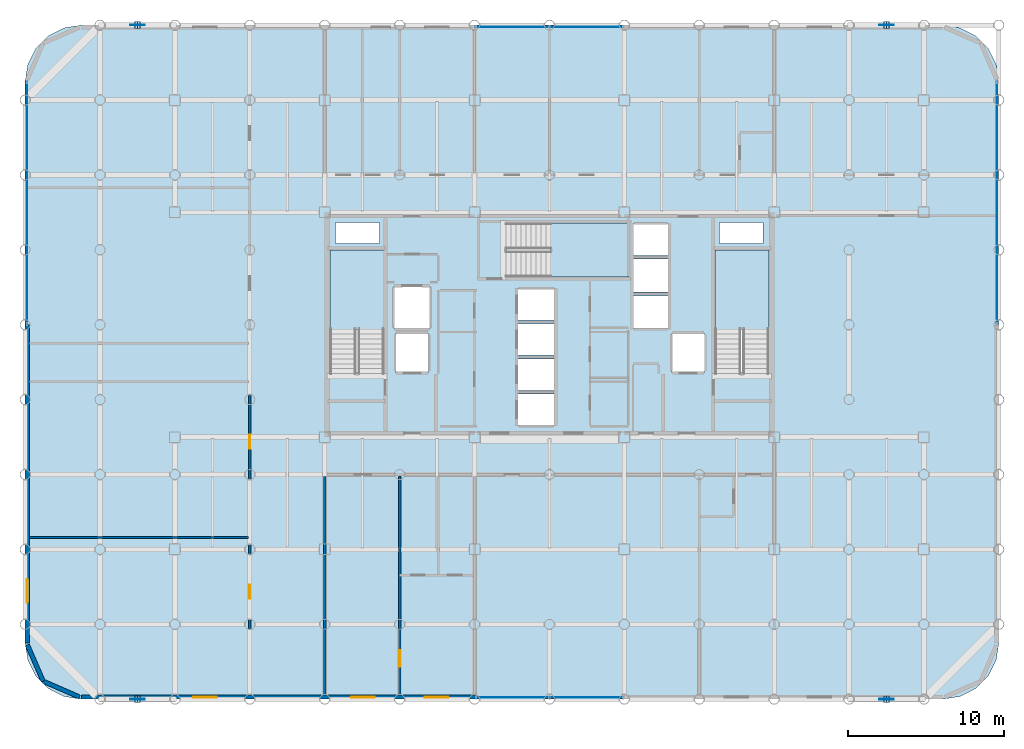
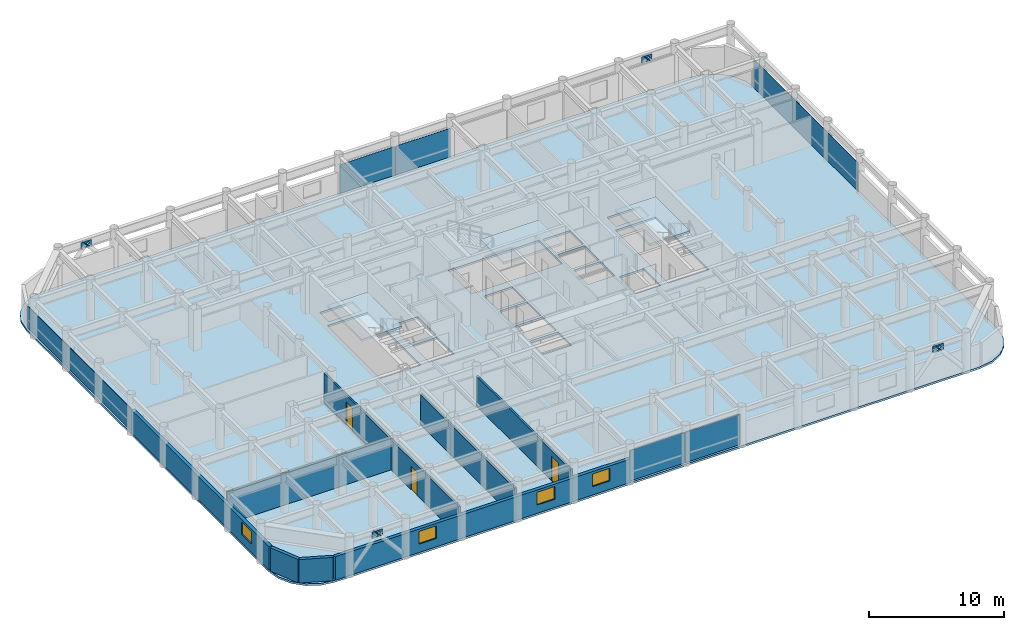
# One storey, part 15 of 20: 18 plates, 8 walls, 4 slabs, 4 windows, 3 doors, 7 openings, 7 elements without a shape of their own.
"""IFC4 building model written with IfcOpenShell, lengths in metres."""

import ifcopenshell
import ifcopenshell.guid

model = None  # the IFC model being written
_history = None  # IfcOwnerHistory: only IFC2X3 demands one
_inside = {}  # id of a spatial element -> (the spatial element, [elements in it])
_under = {}  # id of a project, library or spatial element -> (it, [spatial elements below it])
_declared = {}  # id of a project -> (the project, [libraries it declares])
_typed = {}  # id of a type object -> (the type object, [elements of that type])
_made_of = {}  # id of a material, layer set ... -> (it, [elements and type objects made of it])


def new_model(schema):
    """Start an empty IFC model of exactly this schema.

    Asked for "IFC4X3", IfcOpenShell would pick the latest addendum, in which some entities
    have other attributes; the version numbers below select the first issue.
    IFC2X3 requires an IfcOwnerHistory on every rooted entity: one is made here for all.
    """
    global model, _history
    if schema == "IFC4X3":
        model = ifcopenshell.file(schema_version=(4, 3, 0, 0))
    else:
        model = ifcopenshell.file(schema=schema)
    _inside.clear()
    _under.clear()
    _declared.clear()
    _typed.clear()
    _made_of.clear()
    _history = None
    if model.schema == "IFC2X3":
        org = make("IfcOrganization", Name="unknown")
        user = make(
            "IfcPersonAndOrganization",
            ThePerson=make("IfcPerson", FamilyName="unknown"),
            TheOrganization=org,
        )
        app = make(
            "IfcApplication",
            ApplicationDeveloper=org,
            Version="unknown",
            ApplicationFullName="unknown",
            ApplicationIdentifier="unknown",
        )
        _history = make(
            "IfcOwnerHistory",
            OwningUser=user,
            OwningApplication=app,
            ChangeAction="ADDED",
            CreationDate=0,
        )
    return model


def make(cls, **values):
    """One entity of the class cls with the attributes given. An attribute that is None is left unset."""
    return model.create_entity(
        cls, **{name: value for name, value in values.items() if value is not None}
    )


def rooted(cls, **values):
    """An entity with a GlobalId (a new one), such as an element, a storey or a relation."""
    return make(cls, GlobalId=ifcopenshell.guid.new(), OwnerHistory=_history, **values)


def si_unit(unit_type, name, prefix=None):
    """IfcSIUnit, for example si_unit("LENGTHUNIT", "METRE", prefix="MILLI")."""
    return make("IfcSIUnit", UnitType=unit_type, Prefix=prefix, Name=name)


def assignment(units):
    """IfcUnitAssignment: the units of a project."""
    return None if units is None else make("IfcUnitAssignment", Units=units)


def point(xyz):
    """IfcCartesianPoint."""
    return None if xyz is None else make("IfcCartesianPoint", Coordinates=xyz)


def direction(xyz):
    """IfcDirection."""
    return None if xyz is None else make("IfcDirection", DirectionRatios=xyz)


def frame(location, z_axis=None, x_axis=None):
    """IfcAxis2Placement3D, a coordinate frame: its origin and axes. An axis left out is left unset."""
    return make(
        "IfcAxis2Placement3D",
        Location=point(location),
        Axis=direction(z_axis),
        RefDirection=direction(x_axis),
    )


def frame_2d(location, x_axis=None):
    """IfcAxis2Placement2D, a coordinate frame in the plane: its origin and x axis."""
    return make(
        "IfcAxis2Placement2D", Location=point(location), RefDirection=direction(x_axis)
    )


def origin():
    """The frame at (0, 0, 0) with its axes left unset."""
    return frame((0.0, 0.0, 0.0))


def origin_2d():
    """The frame at (0, 0) in the plane with its x axis left unset."""
    return frame_2d((0.0, 0.0))


def place(relative_to, where):
    """IfcLocalPlacement: puts the frame where relative to a parent placement (None: the world)."""
    return make(
        "IfcLocalPlacement", PlacementRelTo=relative_to, RelativePlacement=where
    )


def context(
    kind, dimensions, precision=None, world=None, true_north=None, identifier=None
):
    """IfcGeometricRepresentationContext, for example the 3D "Model" context."""
    return make(
        "IfcGeometricRepresentationContext",
        ContextIdentifier=identifier,
        ContextType=kind,
        CoordinateSpaceDimension=dimensions,
        Precision=precision,
        WorldCoordinateSystem=world,
        TrueNorth=true_north,
    )


def subcontext(parent, identifier, kind, view, scale=None):
    """IfcGeometricRepresentationSubContext, for example "Body" below "Model"."""
    return make(
        "IfcGeometricRepresentationSubContext",
        ContextIdentifier=identifier,
        ContextType=kind,
        ParentContext=parent,
        TargetScale=scale,
        TargetView=view,
    )


def project(units=None, contexts=None):
    """IfcProject with its units and contexts."""
    return rooted(
        "IfcProject",
        Name="project",
        RepresentationContexts=contexts,
        UnitsInContext=assignment(units),
    )


def spatial(cls, under=None, at=None, **own):
    """A site, building, storey or space (cls), placed at a placement, below another one or the project."""
    s = rooted(cls, ObjectPlacement=at, **own)
    if under is not None:
        _under.setdefault(under.id(), (under, []))[1].append(s)
    return s


def polyline(points):
    """IfcPolyline through the points."""
    return make("IfcPolyline", Points=[point(p) for p in points])


def profile(cls, at=None, kind="AREA", **sizes):
    """A parametric profile (cls). Its sizes go by their IFC names, for example OverallWidth=200.0."""
    return make(cls, ProfileType=kind, Position=at, **sizes)


def rectangle(**sizes):
    """IfcRectangleProfileDef."""
    return profile("IfcRectangleProfileDef", **sizes)


def outline(outer, holes=None, kind="AREA"):
    """IfcArbitraryClosedProfileDef: a profile drawn as a closed curve; with holes, ...WithVoids."""
    if holes is None:
        return make("IfcArbitraryClosedProfileDef", ProfileType=kind, OuterCurve=outer)
    return make(
        "IfcArbitraryProfileDefWithVoids",
        ProfileType=kind,
        OuterCurve=outer,
        InnerCurves=holes,
    )


def extrude(swept, where, along, depth):
    """IfcExtrudedAreaSolid: the profile swept, set in the frame where, extruded along a direction by depth."""
    return make(
        "IfcExtrudedAreaSolid",
        SweptArea=swept,
        Position=where,
        ExtrudedDirection=direction(along),
        Depth=depth,
    )


def shape(context_of_items, identifier, shape_type, items):
    """IfcShapeRepresentation: the items that make up one representation, for example the "Body"."""
    return make(
        "IfcShapeRepresentation",
        ContextOfItems=context_of_items,
        RepresentationIdentifier=identifier,
        RepresentationType=shape_type,
        Items=items,
    )


def material(Name=None, Category=None):
    """IfcMaterial."""
    return make("IfcMaterial", Name=Name, Category=Category)


def layer(
    of_material, thickness, ventilated=None, Name=None, Category=None, Priority=None
):
    """IfcMaterialLayer: one layer of a wall or slab, of a material (None: an air gap)."""
    return make(
        "IfcMaterialLayer",
        Material=of_material,
        LayerThickness=thickness,
        IsVentilated=ventilated,
        Name=Name,
        Category=Category,
        Priority=Priority,
    )


def layer_set(layers, Name=None):
    """IfcMaterialLayerSet."""
    return make("IfcMaterialLayerSet", MaterialLayers=layers, LayerSetName=Name)


def made_of(thing, what):
    """Note that an element or type object is made of a material, layer set ...; save() writes the relation."""
    if what is not None:
        _made_of.setdefault(what.id(), (what, []))[1].append(thing)
    return thing


def type_object(cls, material=None, **own):
    """A type object (cls), such as IfcWallType, which elements share."""
    return made_of(rooted(cls, **own), material)


def element(
    cls,
    number,
    at=None,
    inside=None,
    cuts=None,
    type_object=None,
    material=None,
    context=None,
    identifier="Body",
    shape_type=None,
    held_by="IfcProductDefinitionShape",
    body=None,
    shapes=None,
    **own,
):
    """One element of the class cls, such as IfcWall. Its Tag is "e" and its number.

    at: its placement. inside: the storey or other place that contains it. cuts: it is an
    opening in that element (IfcRelVoidsElement). A single representation is given by context,
    identifier, shape_type and body (its items); several are given by shapes. held_by: the class
    of the entity that holds the representations. save() writes the other relations.
    """
    e = rooted(cls, Tag="e%d" % number, ObjectPlacement=at, **own)
    if body is not None:
        shapes = [shape(context, identifier, shape_type, body)]
    if shapes is not None:
        e.Representation = make(held_by, Representations=shapes)
    if inside is not None:
        _inside.setdefault(inside.id(), (inside, []))[1].append(e)
    if cuts is not None:
        rooted(
            "IfcRelVoidsElement", RelatingBuildingElement=cuts, RelatedOpeningElement=e
        )
    if type_object is not None:
        _typed.setdefault(type_object.id(), (type_object, []))[1].append(e)
    return made_of(e, material)


def fill(opening, filler):
    """IfcRelFillsElement: the door or window that sits in an opening."""
    return rooted(
        "IfcRelFillsElement",
        RelatingOpeningElement=opening,
        RelatedBuildingElement=filler,
    )


def aggregate(whole, parts):
    """IfcRelAggregates: a whole, such as a stair, and the parts it consists of."""
    return rooted("IfcRelAggregates", RelatingObject=whole, RelatedObjects=parts)


def save(model, path):
    """Write the relations noted so far, then the file.

    IfcRelAggregates (storeys below a building ...), IfcRelContainedInSpatialStructure (elements
    in a storey), IfcRelDefinesByType, IfcRelAssociatesMaterial and IfcRelDeclares: one each for
    every whole, place, type object, material and project.
    """
    for whole, parts in _under.values():
        aggregate(whole, parts)
    for where, things in _inside.values():
        rooted(
            "IfcRelContainedInSpatialStructure",
            RelatedElements=things,
            RelatingStructure=where,
        )
    for kind, things in _typed.values():
        rooted("IfcRelDefinesByType", RelatedObjects=things, RelatingType=kind)
    for what, things in _made_of.values():
        rooted("IfcRelAssociatesMaterial", RelatedObjects=things, RelatingMaterial=what)
    for by, libraries in _declared.values():
        rooted("IfcRelDeclares", RelatingContext=by, RelatedDefinitions=libraries)
    model.write(path)


model = new_model("IFC4")

# Units and contexts
model_context = context("Model", 3, precision=1e-05, world=origin(), true_north=direction((0.0, 1.0)))
body_context = subcontext(model_context, "Body", "Model", "MODEL_VIEW")
ifc_project = project(units=[si_unit("LENGTHUNIT", "METRE"), si_unit("AREAUNIT", "SQUARE_METRE"), si_unit("VOLUMEUNIT", "CUBIC_METRE"), si_unit("PLANEANGLEUNIT", "RADIAN"), si_unit("MASSUNIT", "GRAM", prefix="KILO")], contexts=[model_context])

# Site, building, storey
site_placement = place(None, origin())
site = spatial("IfcSite", under=ifc_project, at=site_placement, CompositionType="ELEMENT")
building_placement = place(site_placement, origin())
building = spatial("IfcBuilding", under=site, at=building_placement, Name="Kallvorn Hotel Tower", CompositionType="ELEMENT")
storey_placement = place(building_placement, frame((0.0, 0.0, 172.89990234375)))
storey = spatial("IfcBuildingStorey", under=building, at=storey_placement, Name="L43", CompositionType="ELEMENT", Elevation=172.89990234375)

# Curtain wall, plates
ifc_material_1 = material(Name="Thermally broken black-anodised aluminium AA 6063-T6", Category="aluminium")
ifc_layer_1 = layer(ifc_material_1, 0.2099609375)
ifc_layer_set_1 = layer_set([ifc_layer_1], Name="CW_SYS_4_HOTEL_MID")
curtain_wall_type = type_object("IfcCurtainWallType", Name="CW_SYS_4_HOTEL_MID", PredefinedType="USERDEFINED", material=ifc_layer_set_1)
curtain_wall_1_placement = place(storey_placement, origin())
curtain_wall_1 = element("IfcCurtainWall", 1, at=curtain_wall_1_placement, inside=storey, type_object=curtain_wall_type, Name="L43 Dark-Glass Curtain Wall CW-L43-SC", ObjectType="UNITISED CURTAIN WALL", PredefinedType="USERDEFINED")
ifc_material_2 = material(Name="Double-glazed low-e solar-control dark glass", Category="glass")
ifc_layer_2 = layer(ifc_material_2, 0.037841796875)
ifc_layer_set_2 = layer_set([ifc_layer_2], Name="CW_SYS_4_HOTEL_MID_PANEL")
plate_type_1 = type_object("IfcPlateType", Name="CW_SYS_4_HOTEL_MID_PANEL", PredefinedType="CURTAIN_PANEL", material=ifc_layer_set_2)
plate_1_placement = place(storey_placement, frame((-2.375, -23.8798828125, 0.06005859375), z_axis=(0.0, 0.0, 1.0), x_axis=(1.0, 0.0, 0.0)))
plate_1 = element("IfcPlate", 2, at=plate_1_placement, type_object=plate_type_1, Name="CW-L43-SC Vision Glass Panel 00", PredefinedType="CURTAIN_PANEL", context=body_context, shape_type="SweptSolid", body=[
    extrude(rectangle(XDim=4.68994140625, YDim=0.037841796875, at=origin_2d()), origin(), (0.0, 0.0, 1.0), 2.75),
])
plate_2_placement = place(storey_placement, frame((2.375, -23.8798828125, 0.06005859375), z_axis=(0.0, 0.0, 1.0), x_axis=(1.0, 0.0, 0.0)))
plate_2 = element("IfcPlate", 3, at=plate_2_placement, type_object=plate_type_1, Name="CW-L43-SC Vision Glass Panel 01", PredefinedType="CURTAIN_PANEL", context=body_context, shape_type="SweptSolid", body=[
    extrude(rectangle(XDim=4.68994140625, YDim=0.037841796875, at=origin_2d()), origin(), (0.0, 0.0, 1.0), 2.75),
])
aggregate(curtain_wall_1, [plate_1, plate_2])

curtain_wall_2_placement = place(storey_placement, origin())
curtain_wall_2 = element("IfcCurtainWall", 4, at=curtain_wall_2_placement, inside=storey, type_object=curtain_wall_type, Name="L43 Dark-Glass Curtain Wall CW-L43-NC", ObjectType="UNITISED CURTAIN WALL", PredefinedType="USERDEFINED")
plate_3_placement = place(storey_placement, frame((-2.375, 19.080078125, 0.06005859375), z_axis=(0.0, 0.0, 1.0), x_axis=(1.0, 0.0, 0.0)))
plate_3 = element("IfcPlate", 5, at=plate_3_placement, type_object=plate_type_1, Name="CW-L43-NC Vision Glass Panel 00", PredefinedType="CURTAIN_PANEL", context=body_context, shape_type="SweptSolid", body=[
    extrude(rectangle(XDim=4.68994140625, YDim=0.037841796875, at=origin_2d()), origin(), (0.0, 0.0, 1.0), 2.60009765625),
])
plate_4_placement = place(storey_placement, frame((2.375, 19.080078125, 0.06005859375), z_axis=(0.0, 0.0, 1.0), x_axis=(1.0, 0.0, 0.0)))
plate_4 = element("IfcPlate", 6, at=plate_4_placement, type_object=plate_type_1, Name="CW-L43-NC Vision Glass Panel 01", PredefinedType="CURTAIN_PANEL", context=body_context, shape_type="SweptSolid", body=[
    extrude(rectangle(XDim=4.68994140625, YDim=0.037841796875, at=origin_2d()), origin(), (0.0, 0.0, 1.0), 2.60009765625),
])
aggregate(curtain_wall_2, [plate_3, plate_4])

# Curtain wall, plate
curtain_wall_3_placement = place(storey_placement, origin())
curtain_wall_3 = element("IfcCurtainWall", 7, at=curtain_wall_3_placement, inside=storey, type_object=curtain_wall_type, Name="L43 Dark-Glass Curtain Wall CW-L43-WN", ObjectType="UNITISED CURTAIN WALL", PredefinedType="USERDEFINED")
plate_5_placement = place(storey_placement, frame((-33.47998046875, 7.81005859375, 0.06005859375), z_axis=(0.0, 0.0, 1.0), x_axis=(0.0, 1.0, 0.0)))
plate_5 = element("IfcPlate", 8, at=plate_5_placement, type_object=plate_type_1, Name="CW-L43-WN Vision Glass Panel 00", PredefinedType="CURTAIN_PANEL", context=body_context, shape_type="SweptSolid", body=[
    extrude(rectangle(XDim=15.52001953125, YDim=0.037841796875, at=origin_2d()), origin(), (0.0, 0.0, 1.0), 2.0),
])
aggregate(curtain_wall_3, [plate_5])

curtain_wall_4_placement = place(storey_placement, origin())
curtain_wall_4 = element("IfcCurtainWall", 9, at=curtain_wall_4_placement, inside=storey, type_object=curtain_wall_type, Name="L43 Dark-Glass Curtain Wall CW-L43-EN", ObjectType="UNITISED CURTAIN WALL", PredefinedType="USERDEFINED")
plate_6_placement = place(storey_placement, frame((28.679931640625, 7.81005859375, 0.06005859375), z_axis=(0.0, 0.0, 1.0), x_axis=(0.0, 1.0, 0.0)))
plate_6 = element("IfcPlate", 10, at=plate_6_placement, type_object=plate_type_1, Name="CW-L43-EN Vision Glass Panel 00", PredefinedType="CURTAIN_PANEL", context=body_context, shape_type="SweptSolid", body=[
    extrude(rectangle(XDim=15.52001953125, YDim=0.037841796875, at=origin_2d()), origin(), (0.0, 0.0, 1.0), 2.60009765625),
])
aggregate(curtain_wall_4, [plate_6])

# Plates
ifc_material_3 = material(Name="Structural steel S355JR", Category="steel")
ifc_layer_3 = layer(ifc_material_3, 0.030029296875)
ifc_layer_set_3 = layer_set([ifc_layer_3], Name="PLT_CAP_30")
plate_type_2 = type_object("IfcPlateType", Name="PLT_CAP_30", PredefinedType="SHEET", material=ifc_layer_set_3)
plate_7_placement = place(storey_placement, frame((-26.227294921875, -24.2177734375, 2.876708984375), z_axis=(0.647046537535, 0.0, 0.762450508731), x_axis=(0.0, 1.0, 0.0)))
element("IfcPlate", 11, at=plate_7_placement, inside=storey, type_object=plate_type_2, Name="EXO-L43-S1A End Cap Plate B", PredefinedType="SHEET", context=body_context, shape_type="SweptSolid", body=[
    extrude(outline(polyline([(0.0, 0.0), (0.435546875, 0.0), (0.435546875, 0.4357992903407334), (0.0, 0.4357992903407334), (0.0, 0.0)])), origin(), (0.0, 0.0, -1.0), 0.030029296875),
])
plate_8_placement = place(storey_placement, frame((-26.572509765625, -23.7822265625, 2.876708984375), z_axis=(-0.647322989315, 0.0, 0.762215814258), x_axis=(0.0, -1.0, 0.0)))
element("IfcPlate", 12, at=plate_8_placement, inside=storey, type_object=plate_type_2, Name="EXO-L43-S1B End Cap Plate B", PredefinedType="SHEET", context=body_context, shape_type="SweptSolid", body=[
    extrude(outline(polyline([(0.0, 0.0), (0.435546875, 0.0), (0.435546875, 0.43561317384010895), (0.0, 0.43561317384010895), (0.0, 0.0)])), origin(), (0.0, 0.0, -1.0), 0.030029296875),
])
plate_9_placement = place(storey_placement, frame((21.772705078125, -24.2177734375, 2.876708984375), z_axis=(0.647046537535, 0.0, 0.762450508731), x_axis=(0.0, 1.0, 0.0)))
element("IfcPlate", 13, at=plate_9_placement, inside=storey, type_object=plate_type_2, Name="EXO-L43-S2A End Cap Plate B", PredefinedType="SHEET", context=body_context, shape_type="SweptSolid", body=[
    extrude(outline(polyline([(0.0, 0.0), (0.435546875, 0.0), (0.435546875, 0.4357992903407334), (0.0, 0.4357992903407334), (0.0, 0.0)])), origin(), (0.0, 0.0, -1.0), 0.030029296875),
])
plate_10_placement = place(storey_placement, frame((21.427490234375, -23.7822265625, 2.876708984375), z_axis=(-0.647322989315, 0.0, 0.762215814258), x_axis=(0.0, -1.0, 0.0)))
element("IfcPlate", 14, at=plate_10_placement, inside=storey, type_object=plate_type_2, Name="EXO-L43-S2B End Cap Plate B", PredefinedType="SHEET", context=body_context, shape_type="SweptSolid", body=[
    extrude(outline(polyline([(0.0, 0.0), (0.435546875, 0.0), (0.435546875, 0.43561317384010895), (0.0, 0.43561317384010895), (0.0, 0.0)])), origin(), (0.0, 0.0, -1.0), 0.030029296875),
])
plate_11_placement = place(storey_placement, frame((-26.227294921875, 18.982177734375, 2.876708984375), z_axis=(0.647046537535, 0.0, 0.762450508731), x_axis=(0.0, 1.0, 0.0)))
element("IfcPlate", 15, at=plate_11_placement, inside=storey, type_object=plate_type_2, Name="EXO-L43-N1A End Cap Plate B", PredefinedType="SHEET", context=body_context, shape_type="SweptSolid", body=[
    extrude(outline(polyline([(0.0, 0.0), (0.435546875, 0.0), (0.435546875, 0.4357992903407334), (0.0, 0.4357992903407334), (0.0, 0.0)])), origin(), (0.0, 0.0, -1.0), 0.030029296875),
])
plate_12_placement = place(storey_placement, frame((-26.572509765625, 19.417724609375, 2.876708984375), z_axis=(-0.647322989315, 0.0, 0.762215814258), x_axis=(0.0, -1.0, 0.0)))
element("IfcPlate", 16, at=plate_12_placement, inside=storey, type_object=plate_type_2, Name="EXO-L43-N1B End Cap Plate B", PredefinedType="SHEET", context=body_context, shape_type="SweptSolid", body=[
    extrude(outline(polyline([(0.0, 0.0), (0.435546875, 0.0), (0.435546875, 0.43561317384010895), (0.0, 0.43561317384010895), (0.0, 0.0)])), origin(), (0.0, 0.0, -1.0), 0.030029296875),
])
plate_13_placement = place(storey_placement, frame((21.772705078125, 18.982177734375, 2.876708984375), z_axis=(0.647046537535, 0.0, 0.762450508731), x_axis=(0.0, 1.0, 0.0)))
element("IfcPlate", 17, at=plate_13_placement, inside=storey, type_object=plate_type_2, Name="EXO-L43-N2A End Cap Plate B", PredefinedType="SHEET", context=body_context, shape_type="SweptSolid", body=[
    extrude(outline(polyline([(0.0, 0.0), (0.435546875, 0.0), (0.435546875, 0.4357992903407334), (0.0, 0.4357992903407334), (0.0, 0.0)])), origin(), (0.0, 0.0, -1.0), 0.030029296875),
])
plate_14_placement = place(storey_placement, frame((21.427490234375, 19.417724609375, 2.876708984375), z_axis=(-0.647322989315, 0.0, 0.762215814258), x_axis=(0.0, -1.0, 0.0)))
element("IfcPlate", 18, at=plate_14_placement, inside=storey, type_object=plate_type_2, Name="EXO-L43-N2B End Cap Plate B", PredefinedType="SHEET", context=body_context, shape_type="SweptSolid", body=[
    extrude(outline(polyline([(0.0, 0.0), (0.435546875, 0.0), (0.435546875, 0.43561317384010895), (0.0, 0.43561317384010895), (0.0, 0.0)])), origin(), (0.0, 0.0, -1.0), 0.030029296875),
])
ifc_material_4 = material(Name="Structural steel S355JR", Category="steel")
ifc_layer_4 = layer(ifc_material_4, 0.034912109375)
ifc_layer_set_4 = layer_set([ifc_layer_4], Name="PLT_GUSSET_35")
plate_type_3 = type_object("IfcPlateType", Name="PLT_GUSSET_35", PredefinedType="USERDEFINED", material=ifc_layer_set_4)
for number, where, z_axis, x_axis, name in (
    (19, (-26.39990234375, -24.0, 2.690185546875), (0.0, 0.0, 1.0), (1.0, 0.0, 0.0), "L43 Exoskeleton Node Gusset S1"),
    (20, (21.60009765625, -24.0, 2.690185546875), (0.0, 0.0, 1.0), (1.0, 0.0, 0.0), "L43 Exoskeleton Node Gusset S2"),
    (21, (-26.39990234375, 19.199951171875, 2.690185546875), (0.0, 0.0, 1.0), (1.0, 0.0, 0.0), "L43 Exoskeleton Node Gusset N1"),
    (22, (21.60009765625, 19.199951171875, 2.690185546875), (0.0, 0.0, 1.0), (1.0, 0.0, 0.0), "L43 Exoskeleton Node Gusset N2"),
):
    element("IfcPlate", number, at=place(storey_placement, frame(where, z_axis=z_axis, x_axis=x_axis)), inside=storey, type_object=plate_type_3, Name=name, ObjectType="GUSSET PLATE", PredefinedType="USERDEFINED", context=body_context, shape_type="SweptSolid", body=[
        extrude(rectangle(XDim=0.89990234375, YDim=0.034912109375, at=origin_2d()), origin(), (0.0, 0.0, 1.0), 0.56005859375),
    ])

# Stair, slab
ifc_material_5 = material(Name="Precast concrete C40/50", Category="concrete")
stair_type = type_object("IfcStairType", Name="STR_CORE_DOGLEG", PredefinedType="HALF_TURN_STAIR", material=ifc_material_5)
stair_1_placement = place(storey_placement, origin())
stair_1 = element("IfcStair", 23, at=stair_1_placement, inside=storey, type_object=stair_type, Name="L43 Exit stair ST1", PredefinedType="HALF_TURN_STAIR")
ifc_material_6 = material(Name="Precast concrete C40/50", Category="concrete")
ifc_layer_5 = layer(ifc_material_6, 0.179931640625)
ifc_layer_set_5 = layer_set([ifc_layer_5], Name="SLB_LANDING_180")
slab_type_1 = type_object("IfcSlabType", Name="SLB_LANDING_180", PredefinedType="LANDING", material=ifc_layer_set_5)
slab_1_placement = place(storey_placement, frame((0.0, 0.0, 1.650146484375)))
slab_1 = element("IfcSlab", 24, at=slab_1_placement, type_object=slab_type_1, Name="ST1 landing 1", PredefinedType="LANDING", context=body_context, shape_type="SweptSolid", body=[
    extrude(outline(polyline([(-10.60009765625, -0.31005859375), (-10.60009765625, 4.800048828125), (-14.06005859375, 4.800048828125), (-14.06005859375, -0.31005859375), (-10.60009765625, -0.31005859375)])), origin(), (0.0, 0.0, 1.0), 0.199951171875),
])
aggregate(stair_1, [slab_1])

stair_2_placement = place(storey_placement, origin())
stair_2 = element("IfcStair", 25, at=stair_2_placement, inside=storey, type_object=stair_type, Name="L43 Exit stair ST2", PredefinedType="HALF_TURN_STAIR")
slab_2_placement = place(storey_placement, frame((0.0, 0.0, 1.650146484375)))
slab_2 = element("IfcSlab", 26, at=slab_2_placement, type_object=slab_type_1, Name="ST2 landing 1", PredefinedType="LANDING", context=body_context, shape_type="SweptSolid", body=[
    extrude(outline(polyline([(14.06005859375, -0.31005859375), (14.06005859375, 4.800048828125), (10.60009765625, 4.800048828125), (10.60009765625, -0.31005859375), (14.06005859375, -0.31005859375)])), origin(), (0.0, 0.0, 1.0), 0.199951171875),
])
aggregate(stair_2, [slab_2])

stair_3_placement = place(storey_placement, origin())
stair_3 = element("IfcStair", 27, at=stair_3_placement, inside=storey, type_object=stair_type, Name="L43 Exit stair ST3", PredefinedType="HALF_TURN_STAIR")
slab_3_placement = place(storey_placement, frame((0.0, 0.0, 1.650146484375)))
slab_3 = element("IfcSlab", 28, at=slab_3_placement, type_object=slab_type_1, Name="ST3 landing 1", PredefinedType="LANDING", context=body_context, shape_type="SweptSolid", body=[
    extrude(outline(polyline([(0.0400390625, 3.050048828125), (5.050048828125, 3.050048828125), (5.050048828125, 6.510009765625), (0.0400390625, 6.510009765625), (0.0400390625, 3.050048828125)])), origin(), (0.0, 0.0, 1.0), 0.199951171875),
])
aggregate(stair_3, [slab_3])

# Slab
ifc_material_7 = material(Name="Concrete C40/50", Category="concrete")
ifc_layer_6 = layer(ifc_material_7, 0.179931640625)
ifc_layer_set_6 = layer_set([ifc_layer_6], Name="SLB_TOWER_180")
slab_type_2 = type_object("IfcSlabType", Name="SLB_TOWER_180", PredefinedType="FLOOR", material=ifc_layer_set_6)
slab_4_placement = place(storey_placement, frame((0.0, 0.0, -0.179931640625)))
element("IfcSlab", 29, at=slab_4_placement, inside=storey, type_object=slab_type_2, Name="L43 Structural Floor Slab", PredefinedType="FLOOR", context=body_context, shape_type="SweptSolid", body=[
    extrude(outline(polyline([(25.199951171875, -24.0), (26.3125, -23.82373046875), (27.31591796875, -23.3125), (28.112548828125, -22.51611328125), (28.623779296875, -21.512451171875), (28.800048828125, -20.39990234375), (28.800048828125, 15.60009765625), (28.623779296875, 16.71240234375), (28.112548828125, 17.716064453125), (27.31591796875, 18.512451171875), (26.3125, 19.023681640625), (25.199951171875, 19.199951171875), (-30.0, 19.199951171875), (-31.112548828125, 19.023681640625), (-32.115966796875, 18.512451171875), (-32.91259765625, 17.716064453125), (-33.423828125, 16.71240234375), (-33.60009765625, 15.60009765625), (-33.60009765625, -20.39990234375), (-33.423828125, -21.512451171875), (-32.91259765625, -22.51611328125), (-32.115966796875, -23.3125), (-31.112548828125, -23.82373046875), (-30.0, -24.0), (25.199951171875, -24.0)]), holes=[polyline([(-10.60009765625, -3.070068359375), (-10.60009765625, 4.800048828125), (-14.06005859375, 4.800048828125), (-14.06005859375, -3.070068359375), (-10.60009765625, -3.070068359375)]), polyline([(14.06005859375, -3.070068359375), (14.06005859375, 4.800048828125), (10.60009765625, 4.800048828125), (10.60009765625, -3.070068359375), (14.06005859375, -3.070068359375)]), polyline([(-2.719970703125, 3.050048828125), (5.050048828125, 3.050048828125), (5.050048828125, 6.510009765625), (-2.719970703125, 6.510009765625), (-2.719970703125, 3.050048828125)]), polyline([(-2.050048828125, -6.449951171875), (0.35009765625, -6.449951171875), (0.35009765625, -4.449951171875), (-2.050048828125, -4.449951171875), (-2.050048828125, -6.449951171875)]), polyline([(-2.050048828125, -4.199951171875), (0.35009765625, -4.199951171875), (0.35009765625, -2.199951171875), (-2.050048828125, -2.199951171875), (-2.050048828125, -4.199951171875)]), polyline([(-2.050048828125, -1.949951171875), (0.35009765625, -1.949951171875), (0.35009765625, 0.050048828125), (-2.050048828125, 0.050048828125), (-2.050048828125, -1.949951171875)]), polyline([(-2.050048828125, 0.300048828125), (0.35009765625, 0.300048828125), (0.35009765625, 2.300048828125), (-2.050048828125, 2.300048828125), (-2.050048828125, 0.300048828125)]), polyline([(5.35009765625, -0.25), (7.64990234375, -0.25), (7.64990234375, 1.85009765625), (5.35009765625, 1.85009765625), (5.35009765625, -0.25)]), polyline([(5.35009765625, 2.10009765625), (7.64990234375, 2.10009765625), (7.64990234375, 4.199951171875), (5.35009765625, 4.199951171875), (5.35009765625, 2.10009765625)]), polyline([(5.35009765625, 4.449951171875), (7.64990234375, 4.449951171875), (7.64990234375, 6.449951171875), (5.35009765625, 6.449951171875), (5.35009765625, 4.449951171875)]), polyline([(-9.85009765625, -3.050048828125), (-7.75, -3.050048828125), (-7.75, -0.550048828125), (-9.85009765625, -0.550048828125), (-9.85009765625, -3.050048828125)]), polyline([(7.85009765625, -3.050048828125), (9.949951171875, -3.050048828125), (9.949951171875, -0.550048828125), (7.85009765625, -0.550048828125), (7.85009765625, -3.050048828125)]), polyline([(-9.949951171875, -0.25), (-7.64990234375, -0.25), (-7.64990234375, 2.449951171875), (-9.949951171875, 2.449951171875), (-9.949951171875, -0.25)]), polyline([(-13.699951171875, 5.199951171875), (-10.89990234375, 5.199951171875), (-10.89990234375, 6.550048828125), (-13.699951171875, 6.550048828125), (-13.699951171875, 5.199951171875)]), polyline([(10.89990234375, 5.199951171875), (13.699951171875, 5.199951171875), (13.699951171875, 6.550048828125), (10.89990234375, 6.550048828125), (10.89990234375, 5.199951171875)])]), origin(), (0.0, 0.0, 1.0), 0.179931640625),
])

# Wall
ifc_material_8 = material(Name="Fire-rated double-layer acoustic gypsum drywall EI 60")
ifc_layer_7 = layer(ifc_material_8, 0.159912109375)
ifc_layer_set_7 = layer_set([ifc_layer_7], Name="WL_DEMISE_160")
wall_type_1 = type_object("IfcWallType", Name="WL_DEMISE_160", PredefinedType="PARTITIONING", material=ifc_layer_set_7)
wall_1_placement = place(storey_placement, frame((-14.39990234375, -23.7099609375, 0.0), z_axis=(0.0, 0.0, 1.0), x_axis=(0.0, 1.0, 0.0)))
element("IfcWall", 30, at=wall_1_placement, inside=storey, type_object=wall_type_1, Name="L43 Suite 4301 Executive Living Salon Partition", PredefinedType="PARTITIONING", context=body_context, shape_type="SweptSolid", body=[
    extrude(rectangle(XDim=13.989990234375, YDim=0.159912109375, at=frame_2d((6.9951171875, 0.0))), origin(), (0.0, 0.0, 1.0), 2.72021484375),
])

# Wall, opening, door
wall_2_placement = place(storey_placement, frame((-9.60009765625, -23.7099609375, 0.0), z_axis=(0.0, 0.0, 1.0), x_axis=(0.0, 1.0, 0.0)))
wall_2 = element("IfcWall", 31, at=wall_2_placement, inside=storey, type_object=wall_type_1, Name="L43 Suite 4301 Executive Bedroom Partition", PredefinedType="PARTITIONING", context=body_context, shape_type="SweptSolid", body=[
    extrude(rectangle(XDim=13.989990234375, YDim=0.159912109375, at=frame_2d((6.9951171875, 0.0))), origin(), (0.0, 0.0, 1.0), 2.72021484375),
])
opening_1_placement = place(wall_2_placement, frame((1.802978515625, 0.0, 0.0)))
opening_1 = element("IfcOpeningElement", 32, at=opening_1_placement, cuts=wall_2, Name="Opening GD2", PredefinedType="OPENING", context=body_context, shape_type="SweptSolid", body=[
    extrude(rectangle(XDim=1.050048828125, YDim=2.199951171875, at=frame_2d((0.52490234375, 1.10009765625))), frame((0.0, 0.094970703125, 0.0), z_axis=(0.0, -1.0, 0.0), x_axis=(1.0, 0.0, 0.0)), (0.0, 0.0, 1.0), 0.18994140625),
])
ifc_material_9 = material(Name="Solid-core walnut veneer fire-rated timber door leaf", Category="wood")
door_type_1 = type_object("IfcDoorType", Name="DR_SUITE_1050x2200", OperationType="NOTDEFINED", PredefinedType="DOOR", material=ifc_material_9)
door_1_placement = place(opening_1_placement, origin())
door_1 = element("IfcDoor", 33, at=door_1_placement, inside=storey, type_object=door_type_1, Name="L43 Suite 4301 Executive Bedroom Door", OperationType="SINGLE_SWING_LEFT", OverallHeight=2.199951171875, OverallWidth=1.050048828125, PredefinedType="DOOR", context=body_context, shape_type="SweptSolid", body=[
    extrude(rectangle(XDim=1.050048828125, YDim=2.199951171875, at=frame_2d((0.52490234375, 1.10009765625))), frame((0.0, 0.02490234375, 0.0), z_axis=(0.0, -1.0, 0.0), x_axis=(1.0, 0.0, 0.0)), (0.0, 0.0, 1.0), 0.050048828125),
])
fill(opening_1, door_1)

# Walls
ifc_material_10 = material(Name="Precast basalt-clad insulated concrete wall C40/50", Category="masonry")
ifc_layer_8 = layer(ifc_material_10, 0.280029296875)
ifc_layer_set_8 = layer_set([ifc_layer_8], Name="WL_EXT_LOGGIA_280")
wall_type_2 = type_object("IfcWallType", Name="WL_EXT_LOGGIA_280", PredefinedType="SOLIDWALL", material=ifc_layer_set_8)
wall_3_placement = place(storey_placement, frame((-33.4580078125, -20.520751953125, 0.0), z_axis=(0.0, 0.0, 1.0), x_axis=(0.398792985289, -0.917040977756, 0.0)))
element("IfcWall", 34, at=wall_3_placement, inside=storey, type_object=wall_type_2, Name="L43 Rounded Corner Exterior Wall SW1", PredefinedType="SOLIDWALL", context=body_context, shape_type="SweptSolid", body=[
    extrude(rectangle(XDim=2.536376953125, YDim=0.280029296875, at=frame_2d((1.26806640625, 0.0))), origin(), (0.0, 0.0, 1.0), 2.1201171875),
])
wall_4_placement = place(storey_placement, frame((-32.446533203125, -22.8466796875, 0.0), z_axis=(0.0, 0.0, 1.0), x_axis=(0.917060872934, -0.398747232384, 0.0)))
element("IfcWall", 35, at=wall_4_placement, inside=storey, type_object=wall_type_2, Name="L43 Rounded Corner Exterior Wall SW2", PredefinedType="SOLIDWALL", context=body_context, shape_type="SweptSolid", body=[
    extrude(rectangle(XDim=2.5361328125, YDim=0.280029296875, at=frame_2d((1.26806640625, 0.0))), origin(), (0.0, 0.0, 1.0), 2.1201171875),
])

# Wall, openings, windows
wall_5_placement = place(storey_placement, frame((-30.0, -23.860107421875, 0.0), z_axis=(0.0, 0.0, 1.0), x_axis=(1.0, 0.0, 0.0)))
wall_5 = element("IfcWall", 36, at=wall_5_placement, inside=storey, type_object=wall_type_2, Name="L43 Exterior Envelope Wall EW-L43-SW", PredefinedType="SOLIDWALL", context=body_context, shape_type="SweptSolid", body=[
    extrude(rectangle(XDim=25.25, YDim=0.280029296875, at=frame_2d((12.625, 0.0))), origin(), (0.0, 0.0, 1.0), 2.1201171875),
])
opening_2_placement = place(wall_5_placement, frame((7.1630859375, 0.0, 0.75)))
opening_2 = element("IfcOpeningElement", 37, at=opening_2_placement, cuts=wall_5, Name="Opening W05A", PredefinedType="OPENING", context=body_context, shape_type="SweptSolid", body=[
    extrude(rectangle(XDim=1.5, YDim=1.14990234375, at=frame_2d((0.75, 0.574951171875))), frame((0.0, 0.155029296875, 0.0), z_axis=(0.0, -1.0, 0.0), x_axis=(1.0, 0.0, 0.0)), (0.0, 0.0, 1.0), 0.31005859375),
])
opening_3_placement = place(wall_5_placement, frame((17.2900390625, 0.0, 0.75)))
opening_3 = element("IfcOpeningElement", 38, at=opening_3_placement, cuts=wall_5, Name="Opening W05A", PredefinedType="OPENING", context=body_context, shape_type="SweptSolid", body=[
    extrude(rectangle(XDim=1.5, YDim=1.14990234375, at=frame_2d((0.75, 0.574951171875))), frame((0.0, 0.155029296875, 0.0), z_axis=(0.0, -1.0, 0.0), x_axis=(1.0, 0.0, 0.0)), (0.0, 0.0, 1.0), 0.31005859375),
])
opening_4_placement = place(wall_5_placement, frame((22.010009765625, 0.0, 0.75)))
opening_4 = element("IfcOpeningElement", 39, at=opening_4_placement, cuts=wall_5, Name="Opening W05A", PredefinedType="OPENING", context=body_context, shape_type="SweptSolid", body=[
    extrude(rectangle(XDim=1.5, YDim=1.14990234375, at=frame_2d((0.75, 0.574951171875))), frame((0.0, 0.155029296875, 0.0), z_axis=(0.0, -1.0, 0.0), x_axis=(1.0, 0.0, 0.0)), (0.0, 0.0, 1.0), 0.31005859375),
])
ifc_material_11 = material(Name="Double-glazed low-e solar-control dark glass", Category="glass")
window_type = type_object("IfcWindowType", Name="WN_HTL_1500x1150", PartitioningType="SINGLE_PANEL", PredefinedType="WINDOW", material=ifc_material_11)
window_1_placement = place(opening_2_placement, origin())
window_1 = element("IfcWindow", 40, at=window_1_placement, inside=storey, type_object=window_type, Name="L43 Guestroom Exterior Window 01", OverallHeight=1.14990234375, OverallWidth=1.5, PartitioningType="SINGLE_PANEL", PredefinedType="WINDOW", context=body_context, shape_type="SweptSolid", body=[
    extrude(rectangle(XDim=1.5, YDim=1.14990234375, at=frame_2d((0.75, 0.574951171875))), frame((0.0, 0.030029296875, 0.0), z_axis=(0.0, -1.0, 0.0), x_axis=(1.0, 0.0, 0.0)), (0.0, 0.0, 1.0), 0.06005859375),
])
fill(opening_2, window_1)
window_2_placement = place(opening_3_placement, origin())
window_2 = element("IfcWindow", 41, at=window_2_placement, inside=storey, type_object=window_type, Name="L43 Guestroom Exterior Window 06", OverallHeight=1.14990234375, OverallWidth=1.5, PartitioningType="SINGLE_PANEL", PredefinedType="WINDOW", context=body_context, shape_type="SweptSolid", body=[
    extrude(rectangle(XDim=1.5, YDim=1.14990234375, at=frame_2d((0.75, 0.574951171875))), frame((0.0, 0.030029296875, 0.0), z_axis=(0.0, -1.0, 0.0), x_axis=(1.0, 0.0, 0.0)), (0.0, 0.0, 1.0), 0.06005859375),
])
fill(opening_3, window_2)
window_3_placement = place(opening_4_placement, origin())
window_3 = element("IfcWindow", 42, at=window_3_placement, inside=storey, type_object=window_type, Name="L43 Guestroom Exterior Window 07", OverallHeight=1.14990234375, OverallWidth=1.5, PartitioningType="SINGLE_PANEL", PredefinedType="WINDOW", context=body_context, shape_type="SweptSolid", body=[
    extrude(rectangle(XDim=1.5, YDim=1.14990234375, at=frame_2d((0.75, 0.574951171875))), frame((0.0, 0.030029296875, 0.0), z_axis=(0.0, -1.0, 0.0), x_axis=(1.0, 0.0, 0.0)), (0.0, 0.0, 1.0), 0.06005859375),
])
fill(opening_4, window_3)

# Wall, opening, window
wall_6_placement = place(storey_placement, frame((-33.4599609375, -20.39990234375, 0.0), z_axis=(0.0, 0.0, 1.0), x_axis=(0.0, 1.0, 0.0)))
wall_6 = element("IfcWall", 43, at=wall_6_placement, inside=storey, type_object=wall_type_2, Name="L43 Exterior Envelope Wall EW-L43-WS", PredefinedType="SOLIDWALL", context=body_context, shape_type="SweptSolid", body=[
    extrude(rectangle(XDim=20.3798828125, YDim=0.280029296875, at=frame_2d((10.18994140625, 0.0))), origin(), (0.0, 0.0, 1.0), 2.1201171875),
])
opening_5_placement = place(wall_6_placement, frame((2.593017578125, 0.0, 0.75)))
opening_5 = element("IfcOpeningElement", 44, at=opening_5_placement, cuts=wall_6, Name="Opening W05A", PredefinedType="OPENING", context=body_context, shape_type="SweptSolid", body=[
    extrude(rectangle(XDim=1.5, YDim=1.14990234375, at=frame_2d((0.75, 0.574951171875))), frame((0.0, 0.155029296875, 0.0), z_axis=(0.0, -1.0, 0.0), x_axis=(1.0, 0.0, 0.0)), (0.0, 0.0, 1.0), 0.31005859375),
])
window_4_placement = place(opening_5_placement, origin())
window_4 = element("IfcWindow", 45, at=window_4_placement, inside=storey, type_object=window_type, Name="L43 Flank Wing Window 02", OverallHeight=1.14990234375, OverallWidth=1.5, PartitioningType="SINGLE_PANEL", PredefinedType="WINDOW", context=body_context, shape_type="SweptSolid", body=[
    extrude(rectangle(XDim=1.5, YDim=1.14990234375, at=frame_2d((0.75, 0.574951171875))), frame((0.0, 0.030029296875, 0.0), z_axis=(0.0, -1.0, 0.0), x_axis=(1.0, 0.0, 0.0)), (0.0, 0.0, 1.0), 0.06005859375),
])
fill(opening_5, window_4)

# Wall
ifc_material_12 = material(Name="Fire-rated double-layer acoustic gypsum drywall EI 60")
ifc_layer_9 = layer(ifc_material_12, 0.14990234375)
ifc_layer_set_9 = layer_set([ifc_layer_9], Name="WL_PART_150")
wall_type_3 = type_object("IfcWallType", Name="WL_PART_150", PredefinedType="PARTITIONING", material=ifc_layer_set_9)
wall_7_placement = place(storey_placement, frame((-33.31005859375, -13.635009765625, 0.0), z_axis=(0.0, 0.0, 1.0), x_axis=(1.0, 0.0, 0.0)))
element("IfcWall", 46, at=wall_7_placement, inside=storey, type_object=wall_type_3, Name="L43 L43 South-West Facade Cocktail Bar Partition", PredefinedType="PARTITIONING", context=body_context, shape_type="SweptSolid", body=[
    extrude(rectangle(XDim=14.030029296875, YDim=0.14990234375, at=frame_2d((7.01513671875, 0.0))), origin(), (0.0, 0.0, 1.0), 2.8701171875),
])

# Wall, openings, doors
wall_8_placement = place(storey_placement, frame((-19.199951171875, -23.7099609375, 0.0), z_axis=(0.0, 0.0, 1.0), x_axis=(0.0, 1.0, 0.0)))
wall_8 = element("IfcWall", 47, at=wall_8_placement, inside=storey, type_object=wall_type_3, Name="L43 L43 South-West Facade Cocktail Bar Partition", PredefinedType="PARTITIONING", context=body_context, shape_type="SweptSolid", body=[
    extrude(rectangle(XDim=19.96484375, YDim=0.14990234375, at=frame_2d((9.982421875, 0.0))), origin(), (0.0, 0.0, 1.0), 2.72021484375),
])
opening_6_placement = place(wall_8_placement, frame((6.162353515625, 0.0, 0.0)))
opening_6 = element("IfcOpeningElement", 48, at=opening_6_placement, cuts=wall_8, Name="Opening SVD1", PredefinedType="OPENING", context=body_context, shape_type="SweptSolid", body=[
    extrude(rectangle(XDim=0.89990234375, YDim=2.10009765625, at=frame_2d((0.449951171875, 1.050048828125))), frame((0.0, 0.08984375, 0.0), z_axis=(0.0, -1.0, 0.0), x_axis=(1.0, 0.0, 0.0)), (0.0, 0.0, 1.0), 0.179931640625),
])
opening_7_placement = place(wall_8_placement, frame((15.770263671875, 0.0, 0.0)))
opening_7 = element("IfcOpeningElement", 49, at=opening_7_placement, cuts=wall_8, Name="Opening SVD1", PredefinedType="OPENING", context=body_context, shape_type="SweptSolid", body=[
    extrude(rectangle(XDim=0.89990234375, YDim=2.10009765625, at=frame_2d((0.449951171875, 1.050048828125))), frame((0.0, 0.08984375, 0.0), z_axis=(0.0, -1.0, 0.0), x_axis=(1.0, 0.0, 0.0)), (0.0, 0.0, 1.0), 0.179931640625),
])
ifc_material_13 = material(Name="Galvanised painted steel fire-rated door assembly", Category="steel")
door_type_2 = type_object("IfcDoorType", Name="DR_SERV_900x2100", OperationType="NOTDEFINED", PredefinedType="DOOR", material=ifc_material_13)
door_2_placement = place(opening_6_placement, origin())
door_2 = element("IfcDoor", 50, at=door_2_placement, inside=storey, type_object=door_type_2, Name="L43 L43 South-West Facade Cocktail Bar Door", OperationType="SINGLE_SWING_RIGHT", OverallHeight=2.10009765625, OverallWidth=0.89990234375, PredefinedType="DOOR", context=body_context, shape_type="SweptSolid", body=[
    extrude(rectangle(XDim=0.89990234375, YDim=2.10009765625, at=frame_2d((0.449951171875, 1.050048828125))), frame((0.0, 0.02490234375, 0.0), z_axis=(0.0, -1.0, 0.0), x_axis=(1.0, 0.0, 0.0)), (0.0, 0.0, 1.0), 0.050048828125),
])
fill(opening_6, door_2)
door_3_placement = place(opening_7_placement, origin())
door_3 = element("IfcDoor", 51, at=door_3_placement, inside=storey, type_object=door_type_2, Name="L43 L43 South-West Spine Boutique Shop Door", OperationType="SINGLE_SWING_LEFT", OverallHeight=2.10009765625, OverallWidth=0.89990234375, PredefinedType="DOOR", context=body_context, shape_type="SweptSolid", body=[
    extrude(rectangle(XDim=0.89990234375, YDim=2.10009765625, at=frame_2d((0.449951171875, 1.050048828125))), frame((0.0, 0.02490234375, 0.0), z_axis=(0.0, -1.0, 0.0), x_axis=(1.0, 0.0, 0.0)), (0.0, 0.0, 1.0), 0.050048828125),
])
fill(opening_7, door_3)

save(model, "model.ifc")
